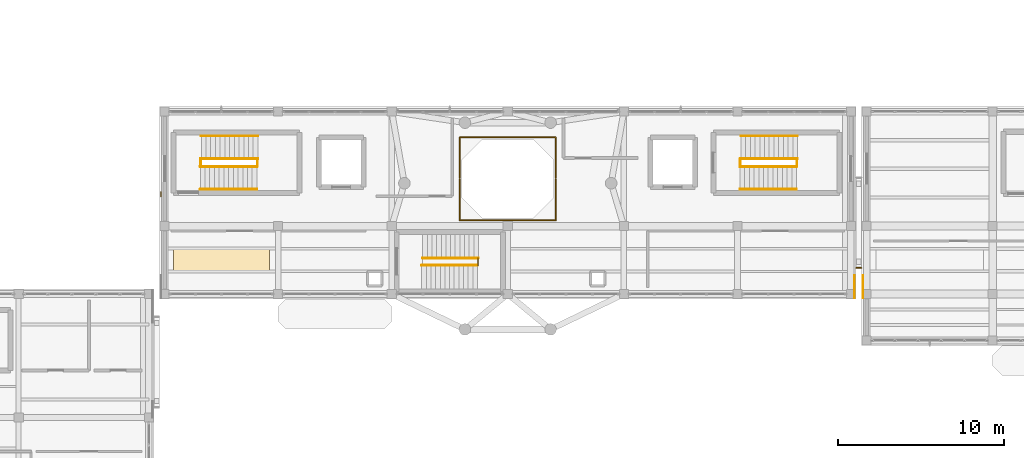
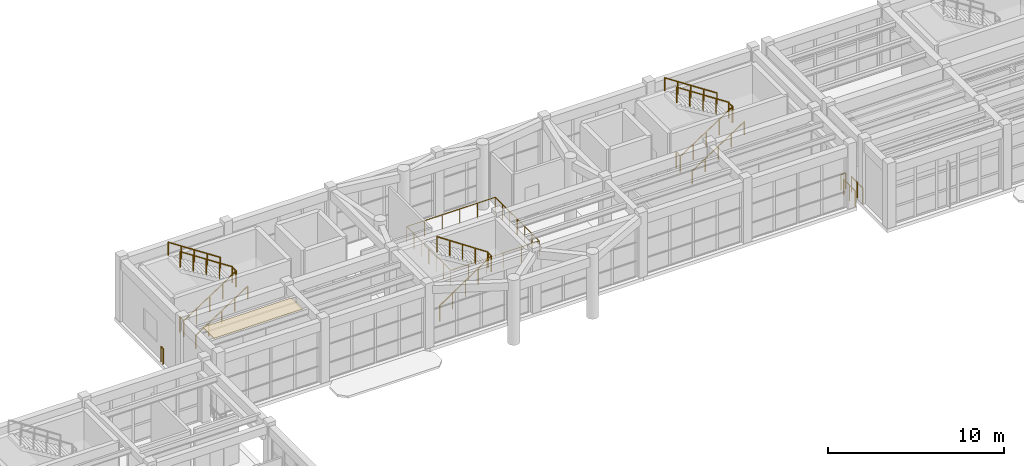
# One storey, part 78 of 85: 21 railings, 1 covering.
"""IFC4 building model written with IfcOpenShell, lengths in metres."""

import ifcopenshell
import ifcopenshell.guid

model = None  # the IFC model being written
_history = None  # IfcOwnerHistory: only IFC2X3 demands one
_inside = {}  # id of a spatial element -> (the spatial element, [elements in it])
_under = {}  # id of a project, library or spatial element -> (it, [spatial elements below it])
_declared = {}  # id of a project -> (the project, [libraries it declares])
_typed = {}  # id of a type object -> (the type object, [elements of that type])
_made_of = {}  # id of a material, layer set ... -> (it, [elements and type objects made of it])


def new_model(schema):
    """Start an empty IFC model of exactly this schema.

    Asked for "IFC4X3", IfcOpenShell would pick the latest addendum, in which some entities
    have other attributes; the version numbers below select the first issue.
    IFC2X3 requires an IfcOwnerHistory on every rooted entity: one is made here for all.
    """
    global model, _history
    if schema == "IFC4X3":
        model = ifcopenshell.file(schema_version=(4, 3, 0, 0))
    else:
        model = ifcopenshell.file(schema=schema)
    _inside.clear()
    _under.clear()
    _declared.clear()
    _typed.clear()
    _made_of.clear()
    _history = None
    if model.schema == "IFC2X3":
        org = make("IfcOrganization", Name="unknown")
        user = make(
            "IfcPersonAndOrganization",
            ThePerson=make("IfcPerson", FamilyName="unknown"),
            TheOrganization=org,
        )
        app = make(
            "IfcApplication",
            ApplicationDeveloper=org,
            Version="unknown",
            ApplicationFullName="unknown",
            ApplicationIdentifier="unknown",
        )
        _history = make(
            "IfcOwnerHistory",
            OwningUser=user,
            OwningApplication=app,
            ChangeAction="ADDED",
            CreationDate=0,
        )
    return model


def make(cls, **values):
    """One entity of the class cls with the attributes given. An attribute that is None is left unset."""
    return model.create_entity(
        cls, **{name: value for name, value in values.items() if value is not None}
    )


def rooted(cls, **values):
    """An entity with a GlobalId (a new one), such as an element, a storey or a relation."""
    return make(cls, GlobalId=ifcopenshell.guid.new(), OwnerHistory=_history, **values)


def si_unit(unit_type, name, prefix=None):
    """IfcSIUnit, for example si_unit("LENGTHUNIT", "METRE", prefix="MILLI")."""
    return make("IfcSIUnit", UnitType=unit_type, Prefix=prefix, Name=name)


def assignment(units):
    """IfcUnitAssignment: the units of a project."""
    return None if units is None else make("IfcUnitAssignment", Units=units)


def point(xyz):
    """IfcCartesianPoint."""
    return None if xyz is None else make("IfcCartesianPoint", Coordinates=xyz)


def direction(xyz):
    """IfcDirection."""
    return None if xyz is None else make("IfcDirection", DirectionRatios=xyz)


def frame(location, z_axis=None, x_axis=None):
    """IfcAxis2Placement3D, a coordinate frame: its origin and axes. An axis left out is left unset."""
    return make(
        "IfcAxis2Placement3D",
        Location=point(location),
        Axis=direction(z_axis),
        RefDirection=direction(x_axis),
    )


def frame_2d(location, x_axis=None):
    """IfcAxis2Placement2D, a coordinate frame in the plane: its origin and x axis."""
    return make(
        "IfcAxis2Placement2D", Location=point(location), RefDirection=direction(x_axis)
    )


def origin():
    """The frame at (0, 0, 0) with its axes left unset."""
    return frame((0.0, 0.0, 0.0))


def origin_2d():
    """The frame at (0, 0) in the plane with its x axis left unset."""
    return frame_2d((0.0, 0.0))


def place(relative_to, where):
    """IfcLocalPlacement: puts the frame where relative to a parent placement (None: the world)."""
    return make(
        "IfcLocalPlacement", PlacementRelTo=relative_to, RelativePlacement=where
    )


def context(
    kind, dimensions, precision=None, world=None, true_north=None, identifier=None
):
    """IfcGeometricRepresentationContext, for example the 3D "Model" context."""
    return make(
        "IfcGeometricRepresentationContext",
        ContextIdentifier=identifier,
        ContextType=kind,
        CoordinateSpaceDimension=dimensions,
        Precision=precision,
        WorldCoordinateSystem=world,
        TrueNorth=true_north,
    )


def subcontext(parent, identifier, kind, view, scale=None):
    """IfcGeometricRepresentationSubContext, for example "Body" below "Model"."""
    return make(
        "IfcGeometricRepresentationSubContext",
        ContextIdentifier=identifier,
        ContextType=kind,
        ParentContext=parent,
        TargetScale=scale,
        TargetView=view,
    )


def project(units=None, contexts=None):
    """IfcProject with its units and contexts."""
    return rooted(
        "IfcProject",
        Name="project",
        RepresentationContexts=contexts,
        UnitsInContext=assignment(units),
    )


def spatial(cls, under=None, at=None, **own):
    """A site, building, storey or space (cls), placed at a placement, below another one or the project."""
    s = rooted(cls, ObjectPlacement=at, **own)
    if under is not None:
        _under.setdefault(under.id(), (under, []))[1].append(s)
    return s


def profile(cls, at=None, kind="AREA", **sizes):
    """A parametric profile (cls). Its sizes go by their IFC names, for example OverallWidth=200.0."""
    return make(cls, ProfileType=kind, Position=at, **sizes)


def rectangle(**sizes):
    """IfcRectangleProfileDef."""
    return profile("IfcRectangleProfileDef", **sizes)


def circle(**sizes):
    """IfcCircleProfileDef."""
    return profile("IfcCircleProfileDef", **sizes)


def extrude(swept, where, along, depth):
    """IfcExtrudedAreaSolid: the profile swept, set in the frame where, extruded along a direction by depth."""
    return make(
        "IfcExtrudedAreaSolid",
        SweptArea=swept,
        Position=where,
        ExtrudedDirection=direction(along),
        Depth=depth,
    )


def shape(context_of_items, identifier, shape_type, items):
    """IfcShapeRepresentation: the items that make up one representation, for example the "Body"."""
    return make(
        "IfcShapeRepresentation",
        ContextOfItems=context_of_items,
        RepresentationIdentifier=identifier,
        RepresentationType=shape_type,
        Items=items,
    )


def material(Name=None, Category=None):
    """IfcMaterial."""
    return make("IfcMaterial", Name=Name, Category=Category)


def layer(
    of_material, thickness, ventilated=None, Name=None, Category=None, Priority=None
):
    """IfcMaterialLayer: one layer of a wall or slab, of a material (None: an air gap)."""
    return make(
        "IfcMaterialLayer",
        Material=of_material,
        LayerThickness=thickness,
        IsVentilated=ventilated,
        Name=Name,
        Category=Category,
        Priority=Priority,
    )


def layer_set(layers, Name=None):
    """IfcMaterialLayerSet."""
    return make("IfcMaterialLayerSet", MaterialLayers=layers, LayerSetName=Name)


def made_of(thing, what):
    """Note that an element or type object is made of a material, layer set ...; save() writes the relation."""
    if what is not None:
        _made_of.setdefault(what.id(), (what, []))[1].append(thing)
    return thing


def type_object(cls, material=None, **own):
    """A type object (cls), such as IfcWallType, which elements share."""
    return made_of(rooted(cls, **own), material)


def element(
    cls,
    number,
    at=None,
    inside=None,
    cuts=None,
    type_object=None,
    material=None,
    context=None,
    identifier="Body",
    shape_type=None,
    held_by="IfcProductDefinitionShape",
    body=None,
    shapes=None,
    **own,
):
    """One element of the class cls, such as IfcWall. Its Tag is "e" and its number.

    at: its placement. inside: the storey or other place that contains it. cuts: it is an
    opening in that element (IfcRelVoidsElement). A single representation is given by context,
    identifier, shape_type and body (its items); several are given by shapes. held_by: the class
    of the entity that holds the representations. save() writes the other relations.
    """
    e = rooted(cls, Tag="e%d" % number, ObjectPlacement=at, **own)
    if body is not None:
        shapes = [shape(context, identifier, shape_type, body)]
    if shapes is not None:
        e.Representation = make(held_by, Representations=shapes)
    if inside is not None:
        _inside.setdefault(inside.id(), (inside, []))[1].append(e)
    if cuts is not None:
        rooted(
            "IfcRelVoidsElement", RelatingBuildingElement=cuts, RelatedOpeningElement=e
        )
    if type_object is not None:
        _typed.setdefault(type_object.id(), (type_object, []))[1].append(e)
    return made_of(e, material)


def aggregate(whole, parts):
    """IfcRelAggregates: a whole, such as a stair, and the parts it consists of."""
    return rooted("IfcRelAggregates", RelatingObject=whole, RelatedObjects=parts)


def save(model, path):
    """Write the relations noted so far, then the file.

    IfcRelAggregates (storeys below a building ...), IfcRelContainedInSpatialStructure (elements
    in a storey), IfcRelDefinesByType, IfcRelAssociatesMaterial and IfcRelDeclares: one each for
    every whole, place, type object, material and project.
    """
    for whole, parts in _under.values():
        aggregate(whole, parts)
    for where, things in _inside.values():
        rooted(
            "IfcRelContainedInSpatialStructure",
            RelatedElements=things,
            RelatingStructure=where,
        )
    for kind, things in _typed.values():
        rooted("IfcRelDefinesByType", RelatedObjects=things, RelatingType=kind)
    for what, things in _made_of.values():
        rooted("IfcRelAssociatesMaterial", RelatedObjects=things, RelatingMaterial=what)
    for by, libraries in _declared.values():
        rooted("IfcRelDeclares", RelatingContext=by, RelatedDefinitions=libraries)
    model.write(path)


model = new_model("IFC4")

# Units and contexts
model_context = context("Model", 3, precision=1e-05, world=origin(), true_north=direction((0.0, 1.0)))
body_context = subcontext(model_context, "Body", "Model", "MODEL_VIEW")
ifc_project = project(units=[si_unit("LENGTHUNIT", "METRE"), si_unit("AREAUNIT", "SQUARE_METRE"), si_unit("VOLUMEUNIT", "CUBIC_METRE"), si_unit("PLANEANGLEUNIT", "RADIAN"), si_unit("MASSUNIT", "GRAM", prefix="KILO")], contexts=[model_context])

# Site, building, storey
site_placement = place(None, origin())
site = spatial("IfcSite", under=ifc_project, at=site_placement, CompositionType="ELEMENT")
building_placement = place(site_placement, origin())
building = spatial("IfcBuilding", under=site, at=building_placement, Name="Candilejo Ridge Gondola Terminal", CompositionType="ELEMENT")
storey_placement = place(building_placement, frame((0.0, 0.0, 4.5)))
storey = spatial("IfcBuildingStorey", under=building, at=storey_placement, Name="L01", CompositionType="ELEMENT", Elevation=4.5)

# Covering
ifc_material_1 = material(Name="Perforated acoustic aluminium linear plank ceiling", Category="aluminium")
ifc_layer = layer(ifc_material_1, 0.044921875)
ifc_layer_set = layer_set([ifc_layer], Name="ARC-COV-CEILING-AC")
covering_type = type_object("IfcCoveringType", Name="ARC-COV-CEILING-AC", PredefinedType="CEILING", material=ifc_layer_set)
covering_placement = place(storey_placement, frame((48.080078125, 27.75, 4.20556640625), z_axis=(0.0, 0.0, 1.0), x_axis=(1.0, 0.0, 0.0)))
element("IfcCovering", 1, at=covering_placement, inside=storey, type_object=covering_type, Name="Acoustic ceiling CL-V2-L01-A", PredefinedType="CEILING", context=body_context, shape_type="SweptSolid", body=[
    extrude(rectangle(XDim=5.800048828125, YDim=1.300048828125, at=origin_2d()), origin(), (0.0, 0.0, 1.0), 0.044921875),
])

# Railings
ifc_material_2 = material(Name="Hot-dip galvanised steel ASTM A500 Grade B", Category="steel")
railing_type_1 = type_object("IfcRailingType", Name="ARC-GUARD-GLASS-1150", PredefinedType="GUARDRAIL", material=ifc_material_2)
railing_1_placement = place(storey_placement, frame((86.3701171875, 27.280029296875, 0.0)))
element("IfcRailing", 2, at=railing_1_placement, inside=storey, type_object=railing_type_1, Name="Link bridge guard LB-SJ2-L01-S", PredefinedType="GUARDRAIL", context=body_context, shape_type="SweptSolid", body=[
    extrude(circle(Radius=0.02392578125, at=origin_2d()), frame((0.0, 0.0, 1.076171875), z_axis=(1.0, 0.0, 0.0), x_axis=(0.0, 1.0, 0.0)), (0.0, 0.0, 1.0), 0.309814453125),
    extrude(circle(Radius=0.02099609375, at=origin_2d()), origin(), (0.0, 0.0, 1.0), 1.052001953125),
    extrude(circle(Radius=0.02099609375, at=origin_2d()), frame((0.309814453125, 0.0, 0.0)), (0.0, 0.0, 1.0), 1.052001953125),
])
railing_2_placement = place(storey_placement, frame((44.429931640625, 31.60009765625, 0.0)))
element("IfcRailing", 3, at=railing_2_placement, inside=storey, type_object=railing_type_1, Name="Deck edge guard GR-V2-L01-W2", PredefinedType="GUARDRAIL", context=body_context, shape_type="SweptSolid", body=[
    extrude(circle(Radius=0.02392578125, at=origin_2d()), frame((0.0, 0.0, 1.076171875), z_axis=(0.0, 1.0, 0.0), x_axis=(-1.0, 0.0, 0.0)), (0.0, 0.0, 1.0), 0.25),
    extrude(circle(Radius=0.02099609375, at=origin_2d()), origin(), (0.0, 0.0, 1.0), 1.052001953125),
    extrude(circle(Radius=0.02099609375, at=origin_2d()), frame((0.0, 0.25, 0.0)), (0.0, 0.0, 1.0), 1.052001953125),
])
for number, where, name in (
    (4, (86.27001953125, 25.47998046875, 0.0), "Deck edge guard GR-V2-L01-E1"),
    (5, (86.780029296875, 25.47998046875, 0.0), "Deck edge guard GR-V3-L01-W1"),
):
    element("IfcRailing", number, at=place(storey_placement, frame(where)), inside=storey, type_object=railing_type_1, Name=name, PredefinedType="GUARDRAIL", context=body_context, shape_type="SweptSolid", body=[
        extrude(circle(Radius=0.02392578125, at=origin_2d()), frame((0.0, 0.0, 1.076171875), z_axis=(0.0, 1.0, 0.0), x_axis=(-1.0, 0.0, 0.0)), (0.0, 0.0, 1.0), 1.320068359375),
        extrude(circle(Radius=0.02099609375, at=origin_2d()), origin(), (0.0, 0.0, 1.0), 1.052001953125),
        extrude(circle(Radius=0.02099609375, at=origin_2d()), frame((0.0, 0.66015625, 0.0)), (0.0, 0.0, 1.0), 1.052001953125),
        extrude(circle(Radius=0.02099609375, at=origin_2d()), frame((0.0, 1.320068359375, 0.0)), (0.0, 0.0, 1.0), 1.052001953125),
    ])
railing_3_placement = place(storey_placement, frame((62.449951171875, 32.610107421875, 0.0)))
element("IfcRailing", 6, at=railing_3_placement, inside=storey, type_object=railing_type_1, Name="Well balustrade GR-V2-OCT-L01-S", PredefinedType="GUARDRAIL", context=body_context, shape_type="SweptSolid", body=[
    extrude(circle(Radius=0.02392578125, at=origin_2d()), frame((0.0, 0.0, 1.076171875), z_axis=(0.0, -1.0, 0.0), x_axis=(1.0, 0.0, 0.0)), (0.0, 0.0, 1.0), 2.460205078125),
    extrude(circle(Radius=0.02392578125, at=origin_2d()), frame((0.0, -2.460205078125, 1.076171875), z_axis=(1.0, 0.0, 0.0), x_axis=(0.0, 1.0, 0.0)), (0.0, 0.0, 1.0), 5.800048828125),
    extrude(circle(Radius=0.02392578125, at=origin_2d()), frame((5.800048828125, -2.460205078125, 1.076171875), z_axis=(0.0, 1.0, 0.0), x_axis=(-1.0, 0.0, 0.0)), (0.0, 0.0, 1.0), 2.460205078125),
    extrude(circle(Radius=0.02099609375, at=origin_2d()), origin(), (0.0, 0.0, 1.0), 1.052001953125),
    extrude(circle(Radius=0.02099609375, at=origin_2d()), frame((0.0, -0.820068359375, 0.0)), (0.0, 0.0, 1.0), 1.052001953125),
    extrude(circle(Radius=0.02099609375, at=origin_2d()), frame((0.0, -1.64013671875, 0.0)), (0.0, 0.0, 1.0), 1.052001953125),
    extrude(circle(Radius=0.02099609375, at=origin_2d()), frame((0.0, -2.460205078125, 0.0)), (0.0, 0.0, 1.0), 1.052001953125),
    extrude(circle(Radius=0.02099609375, at=origin_2d()), frame((1.159912109375, -2.460205078125, 0.0)), (0.0, 0.0, 1.0), 1.052001953125),
    extrude(circle(Radius=0.02099609375, at=origin_2d()), frame((2.320068359375, -2.460205078125, 0.0)), (0.0, 0.0, 1.0), 1.052001953125),
    extrude(circle(Radius=0.02099609375, at=origin_2d()), frame((3.47998046875, -2.460205078125, 0.0)), (0.0, 0.0, 1.0), 1.052001953125),
    extrude(circle(Radius=0.02099609375, at=origin_2d()), frame((4.64013671875, -2.460205078125, 0.0)), (0.0, 0.0, 1.0), 1.052001953125),
    extrude(circle(Radius=0.02099609375, at=origin_2d()), frame((5.800048828125, -2.460205078125, 0.0)), (0.0, 0.0, 1.0), 1.052001953125),
    extrude(circle(Radius=0.02099609375, at=origin_2d()), frame((5.800048828125, -1.64013671875, 0.0)), (0.0, 0.0, 1.0), 1.052001953125),
    extrude(circle(Radius=0.02099609375, at=origin_2d()), frame((5.800048828125, -0.820068359375, 0.0)), (0.0, 0.0, 1.0), 1.052001953125),
    extrude(circle(Radius=0.02099609375, at=origin_2d()), frame((5.800048828125, 0.0, 0.0)), (0.0, 0.0, 1.0), 1.052001953125),
])
railing_4_placement = place(storey_placement, frame((62.449951171875, 32.68994140625, 0.0)))
element("IfcRailing", 7, at=railing_4_placement, inside=storey, type_object=railing_type_1, Name="Well balustrade GR-V2-OCT-L01-N", PredefinedType="GUARDRAIL", context=body_context, shape_type="SweptSolid", body=[
    extrude(circle(Radius=0.02392578125, at=origin_2d()), frame((0.0, 0.0, 1.076171875), z_axis=(0.0, 1.0, 0.0), x_axis=(-1.0, 0.0, 0.0)), (0.0, 0.0, 1.0), 2.4599609375),
    extrude(circle(Radius=0.02392578125, at=origin_2d()), frame((0.0, 2.4599609375, 1.076171875), z_axis=(1.0, 0.0, 0.0), x_axis=(0.0, 1.0, 0.0)), (0.0, 0.0, 1.0), 5.800048828125),
    extrude(circle(Radius=0.02392578125, at=origin_2d()), frame((5.800048828125, 2.4599609375, 1.076171875), z_axis=(0.0, -1.0, 0.0), x_axis=(1.0, 0.0, 0.0)), (0.0, 0.0, 1.0), 2.4599609375),
    extrude(circle(Radius=0.02099609375, at=origin_2d()), origin(), (0.0, 0.0, 1.0), 1.052001953125),
    extrude(circle(Radius=0.02099609375, at=origin_2d()), frame((0.0, 0.820068359375, 0.0)), (0.0, 0.0, 1.0), 1.052001953125),
    extrude(circle(Radius=0.02099609375, at=origin_2d()), frame((0.0, 1.639892578125, 0.0)), (0.0, 0.0, 1.0), 1.052001953125),
    extrude(circle(Radius=0.02099609375, at=origin_2d()), frame((0.0, 2.4599609375, 0.0)), (0.0, 0.0, 1.0), 1.052001953125),
    extrude(circle(Radius=0.02099609375, at=origin_2d()), frame((1.159912109375, 2.4599609375, 0.0)), (0.0, 0.0, 1.0), 1.052001953125),
    extrude(circle(Radius=0.02099609375, at=origin_2d()), frame((2.320068359375, 2.4599609375, 0.0)), (0.0, 0.0, 1.0), 1.052001953125),
    extrude(circle(Radius=0.02099609375, at=origin_2d()), frame((3.47998046875, 2.4599609375, 0.0)), (0.0, 0.0, 1.0), 1.052001953125),
    extrude(circle(Radius=0.02099609375, at=origin_2d()), frame((4.64013671875, 2.4599609375, 0.0)), (0.0, 0.0, 1.0), 1.052001953125),
    extrude(circle(Radius=0.02099609375, at=origin_2d()), frame((5.800048828125, 2.4599609375, 0.0)), (0.0, 0.0, 1.0), 1.052001953125),
    extrude(circle(Radius=0.02099609375, at=origin_2d()), frame((5.800048828125, 1.639892578125, 0.0)), (0.0, 0.0, 1.0), 1.052001953125),
    extrude(circle(Radius=0.02099609375, at=origin_2d()), frame((5.800048828125, 0.820068359375, 0.0)), (0.0, 0.0, 1.0), 1.052001953125),
    extrude(circle(Radius=0.02099609375, at=origin_2d()), frame((5.800048828125, 0.0, 0.0)), (0.0, 0.0, 1.0), 1.052001953125),
])
ifc_material_3 = material(Name="Hot-dip galvanised steel ASTM A500 Grade B", Category="steel")
railing_type_2 = type_object("IfcRailingType", Name="ARC-STAIR-GUARD-1100", PredefinedType="GUARDRAIL", material=ifc_material_3)
railing_5_placement = place(storey_placement, frame((46.830078125, 33.385009765625, 0.0)))
element("IfcRailing", 8, at=railing_5_placement, inside=storey, type_object=railing_type_2, Name="Arrival well guard ST-V2A-L00-ARR-L01", PredefinedType="GUARDRAIL", context=body_context, shape_type="SweptSolid", body=[
    extrude(circle(Radius=0.02392578125, at=origin_2d()), frame((0.0, 0.0, 1.076171875), z_axis=(0.0, 1.0, 0.0), x_axis=(-1.0, 0.0, 0.0)), (0.0, 0.0, 1.0), 0.47998046875),
    extrude(circle(Radius=0.02099609375, at=origin_2d()), origin(), (0.0, 0.0, 1.0), 1.052001953125),
    extrude(circle(Radius=0.02099609375, at=origin_2d()), frame((0.0, 0.47998046875, 0.0)), (0.0, 0.0, 1.0), 1.052001953125),
])
railing_6_placement = place(storey_placement, frame((46.800048828125, 33.385009765625, 0.0)))
element("IfcRailing", 9, at=railing_6_placement, inside=storey, type_object=railing_type_2, Name="Flight well guard ST-V2A-F03", PredefinedType="GUARDRAIL", context=body_context, shape_type="SweptSolid", body=[
    extrude(circle(Radius=0.02392578125, at=origin_2d()), frame((0.0, 0.0, 1.076171875), z_axis=(0.835411317272, 0.0, 0.549625264133), x_axis=(0.0, 1.0, 0.0)), (0.0, 0.0, 1.0), 4.09375),
    extrude(circle(Radius=0.02099609375, at=origin_2d()), origin(), (0.0, 0.0, 1.0), 1.052001953125),
    extrude(circle(Radius=0.02099609375, at=origin_2d()), frame((0.85498046875, 0.0, 0.5625)), (0.0, 0.0, 1.0), 1.052001953125),
    extrude(circle(Radius=0.02099609375, at=origin_2d()), frame((1.7099609375, 0.0, 1.125)), (0.0, 0.0, 1.0), 1.052001953125),
    extrude(circle(Radius=0.02099609375, at=origin_2d()), frame((2.56494140625, 0.0, 1.6875)), (0.0, 0.0, 1.0), 1.052001953125),
    extrude(circle(Radius=0.02099609375, at=origin_2d()), frame((3.419921875, 0.0, 2.25)), (0.0, 0.0, 1.0), 1.052001953125),
])
railing_7_placement = place(storey_placement, frame((50.25, 33.385009765625, 2.25)))
element("IfcRailing", 10, at=railing_7_placement, inside=storey, type_object=railing_type_2, Name="Half-landing slot guard ST-V2A-LND-02", PredefinedType="GUARDRAIL", context=body_context, shape_type="SweptSolid", body=[
    extrude(circle(Radius=0.02392578125, at=origin_2d()), frame((0.0, 0.0, 1.076171875), z_axis=(0.0, 1.0, 0.0), x_axis=(-1.0, 0.0, 0.0)), (0.0, 0.0, 1.0), 0.47998046875),
    extrude(circle(Radius=0.02099609375, at=origin_2d()), origin(), (0.0, 0.0, 1.0), 1.052001953125),
    extrude(circle(Radius=0.02099609375, at=origin_2d()), frame((0.0, 0.47998046875, 0.0)), (0.0, 0.0, 1.0), 1.052001953125),
])
railing_8_placement = place(storey_placement, frame((50.280029296875, 33.864990234375, 2.25)))
element("IfcRailing", 11, at=railing_8_placement, inside=storey, type_object=railing_type_2, Name="Flight well guard ST-V2A-F04", PredefinedType="GUARDRAIL", context=body_context, shape_type="SweptSolid", body=[
    extrude(circle(Radius=0.02392578125, at=origin_2d()), frame((0.0, 0.0, 1.076171875), z_axis=(-0.835411317272, 0.0, 0.549625264133), x_axis=(0.0, -1.0, 0.0)), (0.0, 0.0, 1.0), 4.09375),
    extrude(circle(Radius=0.02099609375, at=origin_2d()), origin(), (0.0, 0.0, 1.0), 1.052001953125),
    extrude(circle(Radius=0.02099609375, at=origin_2d()), frame((-0.85498046875, 0.0, 0.5625)), (0.0, 0.0, 1.0), 1.052001953125),
    extrude(circle(Radius=0.02099609375, at=origin_2d()), frame((-1.7099609375, 0.0, 1.125)), (0.0, 0.0, 1.0), 1.052001953125),
    extrude(circle(Radius=0.02099609375, at=origin_2d()), frame((-2.56494140625, 0.0, 1.6875)), (0.0, 0.0, 1.0), 1.052001953125),
    extrude(circle(Radius=0.02099609375, at=origin_2d()), frame((-3.419921875, 0.0, 2.25)), (0.0, 0.0, 1.0), 1.052001953125),
])
railing_9_placement = place(storey_placement, frame((79.3798828125, 33.385009765625, 0.0)))
element("IfcRailing", 12, at=railing_9_placement, inside=storey, type_object=railing_type_2, Name="Arrival well guard ST-V2B-L00-ARR-L01", PredefinedType="GUARDRAIL", context=body_context, shape_type="SweptSolid", body=[
    extrude(circle(Radius=0.02392578125, at=origin_2d()), frame((0.0, 0.0, 1.076171875), z_axis=(0.0, 1.0, 0.0), x_axis=(-1.0, 0.0, 0.0)), (0.0, 0.0, 1.0), 0.47998046875),
    extrude(circle(Radius=0.02099609375, at=origin_2d()), origin(), (0.0, 0.0, 1.0), 1.052001953125),
    extrude(circle(Radius=0.02099609375, at=origin_2d()), frame((0.0, 0.47998046875, 0.0)), (0.0, 0.0, 1.0), 1.052001953125),
])
railing_10_placement = place(storey_placement, frame((79.35009765625, 33.385009765625, 0.0)))
element("IfcRailing", 13, at=railing_10_placement, inside=storey, type_object=railing_type_2, Name="Flight well guard ST-V2B-F03", PredefinedType="GUARDRAIL", context=body_context, shape_type="SweptSolid", body=[
    extrude(circle(Radius=0.02392578125, at=origin_2d()), frame((0.0, 0.0, 1.076171875), z_axis=(0.835411317272, 0.0, 0.549625264133), x_axis=(0.0, 1.0, 0.0)), (0.0, 0.0, 1.0), 4.09375),
    extrude(circle(Radius=0.02099609375, at=origin_2d()), origin(), (0.0, 0.0, 1.0), 1.052001953125),
    extrude(circle(Radius=0.02099609375, at=origin_2d()), frame((0.85498046875, 0.0, 0.5625)), (0.0, 0.0, 1.0), 1.052001953125),
    extrude(circle(Radius=0.02099609375, at=origin_2d()), frame((1.7099609375, 0.0, 1.125)), (0.0, 0.0, 1.0), 1.052001953125),
    extrude(circle(Radius=0.02099609375, at=origin_2d()), frame((2.56494140625, 0.0, 1.6875)), (0.0, 0.0, 1.0), 1.052001953125),
    extrude(circle(Radius=0.02099609375, at=origin_2d()), frame((3.419921875, 0.0, 2.25)), (0.0, 0.0, 1.0), 1.052001953125),
])
railing_11_placement = place(storey_placement, frame((82.800048828125, 33.385009765625, 2.25)))
element("IfcRailing", 14, at=railing_11_placement, inside=storey, type_object=railing_type_2, Name="Half-landing slot guard ST-V2B-LND-02", PredefinedType="GUARDRAIL", context=body_context, shape_type="SweptSolid", body=[
    extrude(circle(Radius=0.02392578125, at=origin_2d()), frame((0.0, 0.0, 1.076171875), z_axis=(0.0, 1.0, 0.0), x_axis=(-1.0, 0.0, 0.0)), (0.0, 0.0, 1.0), 0.47998046875),
    extrude(circle(Radius=0.02099609375, at=origin_2d()), origin(), (0.0, 0.0, 1.0), 1.052001953125),
    extrude(circle(Radius=0.02099609375, at=origin_2d()), frame((0.0, 0.47998046875, 0.0)), (0.0, 0.0, 1.0), 1.052001953125),
])
railing_12_placement = place(storey_placement, frame((82.830078125, 33.864990234375, 2.25)))
element("IfcRailing", 15, at=railing_12_placement, inside=storey, type_object=railing_type_2, Name="Flight well guard ST-V2B-F04", PredefinedType="GUARDRAIL", context=body_context, shape_type="SweptSolid", body=[
    extrude(circle(Radius=0.02392578125, at=origin_2d()), frame((0.0, 0.0, 1.076171875), z_axis=(-0.835429331894, 0.0, 0.549597881557), x_axis=(0.0, -1.0, 0.0)), (0.0, 0.0, 1.0), 4.093994140625),
    extrude(circle(Radius=0.02099609375, at=origin_2d()), origin(), (0.0, 0.0, 1.0), 1.052001953125),
    extrude(circle(Radius=0.02099609375, at=origin_2d()), frame((-0.85498046875, 0.0, 0.5625)), (0.0, 0.0, 1.0), 1.052001953125),
    extrude(circle(Radius=0.02099609375, at=origin_2d()), frame((-1.7099609375, 0.0, 1.125)), (0.0, 0.0, 1.0), 1.052001953125),
    extrude(circle(Radius=0.02099609375, at=origin_2d()), frame((-2.565185546875, 0.0, 1.6875)), (0.0, 0.0, 1.0), 1.052001953125),
    extrude(circle(Radius=0.02099609375, at=origin_2d()), frame((-3.420166015625, 0.0, 2.25)), (0.0, 0.0, 1.0), 1.052001953125),
])
railing_13_placement = place(storey_placement, frame((60.159912109375, 27.43505859375, 0.0)))
element("IfcRailing", 16, at=railing_13_placement, inside=storey, type_object=railing_type_2, Name="Public stair well guard ST-P02-F01", PredefinedType="GUARDRAIL", context=body_context, shape_type="SweptSolid", body=[
    extrude(circle(Radius=0.02392578125, at=origin_2d()), frame((0.0, 0.0, 1.076171875), z_axis=(0.830915400975, 0.0, 0.556398774641), x_axis=(0.0, 1.0, 0.0)), (0.0, 0.0, 1.0), 4.0439453125),
    extrude(circle(Radius=0.02099609375, at=origin_2d()), origin(), (0.0, 0.0, 1.0), 1.052001953125),
    extrude(circle(Radius=0.02099609375, at=origin_2d()), frame((0.840087890625, 0.0, 0.5625)), (0.0, 0.0, 1.0), 1.052001953125),
    extrude(circle(Radius=0.02099609375, at=origin_2d()), frame((1.68017578125, 0.0, 1.125)), (0.0, 0.0, 1.0), 1.052001953125),
    extrude(circle(Radius=0.02099609375, at=origin_2d()), frame((2.52001953125, 0.0, 1.6875)), (0.0, 0.0, 1.0), 1.052001953125),
    extrude(circle(Radius=0.02099609375, at=origin_2d()), frame((3.360107421875, 0.0, 2.25)), (0.0, 0.0, 1.0), 1.052001953125),
])
railing_14_placement = place(storey_placement, frame((63.550048828125, 27.43505859375, 2.25)))
element("IfcRailing", 17, at=railing_14_placement, inside=storey, type_object=railing_type_2, Name="Public landing slot guard ST-P02-LND-01", PredefinedType="GUARDRAIL", context=body_context, shape_type="SweptSolid", body=[
    extrude(circle(Radius=0.02392578125, at=origin_2d()), frame((0.0, 0.0, 1.076171875), z_axis=(0.0, 1.0, 0.0), x_axis=(-1.0, 0.0, 0.0)), (0.0, 0.0, 1.0), 0.429931640625),
    extrude(circle(Radius=0.02099609375, at=origin_2d()), origin(), (0.0, 0.0, 1.0), 1.052001953125),
    extrude(circle(Radius=0.02099609375, at=origin_2d()), frame((0.0, 0.429931640625, 0.0)), (0.0, 0.0, 1.0), 1.052001953125),
])
railing_15_placement = place(storey_placement, frame((63.580078125, 27.864990234375, 2.25)))
element("IfcRailing", 18, at=railing_15_placement, inside=storey, type_object=railing_type_2, Name="Public stair well guard ST-P02-F02", PredefinedType="GUARDRAIL", context=body_context, shape_type="SweptSolid", body=[
    extrude(circle(Radius=0.02392578125, at=origin_2d()), frame((0.0, 0.0, 1.076171875), z_axis=(-0.830915400975, 0.0, 0.556398774641), x_axis=(0.0, -1.0, 0.0)), (0.0, 0.0, 1.0), 4.0439453125),
    extrude(circle(Radius=0.02099609375, at=origin_2d()), origin(), (0.0, 0.0, 1.0), 1.052001953125),
    extrude(circle(Radius=0.02099609375, at=origin_2d()), frame((-0.840087890625, 0.0, 0.5625)), (0.0, 0.0, 1.0), 1.052001953125),
    extrude(circle(Radius=0.02099609375, at=origin_2d()), frame((-1.68017578125, 0.0, 1.125)), (0.0, 0.0, 1.0), 1.052001953125),
    extrude(circle(Radius=0.02099609375, at=origin_2d()), frame((-2.52001953125, 0.0, 1.6875)), (0.0, 0.0, 1.0), 1.052001953125),
    extrude(circle(Radius=0.02099609375, at=origin_2d()), frame((-3.360107421875, 0.0, 2.25)), (0.0, 0.0, 1.0), 1.052001953125),
])
ifc_material_4 = material(Name="Brushed stainless steel AISI 316", Category="steel")
railing_type_3 = type_object("IfcRailingType", Name="ARC-STAIR-HANDRAIL-920", PredefinedType="HANDRAIL", material=ifc_material_4)
railing_16_placement = place(storey_placement, frame((46.800048828125, 32.014892578125, 0.0)))
element("IfcRailing", 19, at=railing_16_placement, inside=storey, type_object=railing_type_3, Name="Wall handrail ST-V2A-F03", PredefinedType="HANDRAIL", context=body_context, shape_type="SweptSolid", body=[
    extrude(circle(Radius=0.02392578125, at=origin_2d()), frame((0.0, 0.0, 0.89599609375), z_axis=(0.835411317272, 0.0, 0.549625264133), x_axis=(0.0, 1.0, 0.0)), (0.0, 0.0, 1.0), 4.09375),
    extrude(circle(Radius=0.02099609375, at=origin_2d()), origin(), (0.0, 0.0, 1.0), 0.871826171875),
    extrude(circle(Radius=0.02099609375, at=origin_2d()), frame((0.85498046875, 0.0, 0.5625)), (0.0, 0.0, 1.0), 0.871826171875),
    extrude(circle(Radius=0.02099609375, at=origin_2d()), frame((1.7099609375, 0.0, 1.125)), (0.0, 0.0, 1.0), 0.871826171875),
    extrude(circle(Radius=0.02099609375, at=origin_2d()), frame((2.56494140625, 0.0, 1.6875)), (0.0, 0.0, 1.0), 0.871826171875),
    extrude(circle(Radius=0.02099609375, at=origin_2d()), frame((3.419921875, 0.0, 2.25)), (0.0, 0.0, 1.0), 0.871826171875),
])
railing_17_placement = place(storey_placement, frame((50.280029296875, 35.235107421875, 2.25)))
element("IfcRailing", 20, at=railing_17_placement, inside=storey, type_object=railing_type_3, Name="Wall handrail ST-V2A-F04", PredefinedType="HANDRAIL", context=body_context, shape_type="SweptSolid", body=[
    extrude(circle(Radius=0.02392578125, at=origin_2d()), frame((0.0, 0.0, 0.89599609375), z_axis=(-0.835411317272, 0.0, 0.549625264133), x_axis=(0.0, -1.0, 0.0)), (0.0, 0.0, 1.0), 4.09375),
    extrude(circle(Radius=0.02099609375, at=origin_2d()), origin(), (0.0, 0.0, 1.0), 0.871826171875),
    extrude(circle(Radius=0.02099609375, at=origin_2d()), frame((-0.85498046875, 0.0, 0.5625)), (0.0, 0.0, 1.0), 0.871826171875),
    extrude(circle(Radius=0.02099609375, at=origin_2d()), frame((-1.7099609375, 0.0, 1.125)), (0.0, 0.0, 1.0), 0.871826171875),
    extrude(circle(Radius=0.02099609375, at=origin_2d()), frame((-2.56494140625, 0.0, 1.6875)), (0.0, 0.0, 1.0), 0.871826171875),
    extrude(circle(Radius=0.02099609375, at=origin_2d()), frame((-3.419921875, 0.0, 2.25)), (0.0, 0.0, 1.0), 0.871826171875),
])
railing_18_placement = place(storey_placement, frame((79.35009765625, 32.014892578125, 0.0)))
element("IfcRailing", 21, at=railing_18_placement, inside=storey, type_object=railing_type_3, Name="Wall handrail ST-V2B-F03", PredefinedType="HANDRAIL", context=body_context, shape_type="SweptSolid", body=[
    extrude(circle(Radius=0.02392578125, at=origin_2d()), frame((0.0, 0.0, 0.89599609375), z_axis=(0.835411317272, 0.0, 0.549625264133), x_axis=(0.0, 1.0, 0.0)), (0.0, 0.0, 1.0), 4.09375),
    extrude(circle(Radius=0.02099609375, at=origin_2d()), origin(), (0.0, 0.0, 1.0), 0.871826171875),
    extrude(circle(Radius=0.02099609375, at=origin_2d()), frame((0.85498046875, 0.0, 0.5625)), (0.0, 0.0, 1.0), 0.871826171875),
    extrude(circle(Radius=0.02099609375, at=origin_2d()), frame((1.7099609375, 0.0, 1.125)), (0.0, 0.0, 1.0), 0.871826171875),
    extrude(circle(Radius=0.02099609375, at=origin_2d()), frame((2.56494140625, 0.0, 1.6875)), (0.0, 0.0, 1.0), 0.871826171875),
    extrude(circle(Radius=0.02099609375, at=origin_2d()), frame((3.419921875, 0.0, 2.25)), (0.0, 0.0, 1.0), 0.871826171875),
])
railing_19_placement = place(storey_placement, frame((82.830078125, 35.235107421875, 2.25)))
element("IfcRailing", 22, at=railing_19_placement, inside=storey, type_object=railing_type_3, Name="Wall handrail ST-V2B-F04", PredefinedType="HANDRAIL", context=body_context, shape_type="SweptSolid", body=[
    extrude(circle(Radius=0.02392578125, at=origin_2d()), frame((0.0, 0.0, 0.89599609375), z_axis=(-0.835429331894, 0.0, 0.549597881557), x_axis=(0.0, -1.0, 0.0)), (0.0, 0.0, 1.0), 4.093994140625),
    extrude(circle(Radius=0.02099609375, at=origin_2d()), origin(), (0.0, 0.0, 1.0), 0.871826171875),
    extrude(circle(Radius=0.02099609375, at=origin_2d()), frame((-0.85498046875, 0.0, 0.5625)), (0.0, 0.0, 1.0), 0.871826171875),
    extrude(circle(Radius=0.02099609375, at=origin_2d()), frame((-1.7099609375, 0.0, 1.125)), (0.0, 0.0, 1.0), 0.871826171875),
    extrude(circle(Radius=0.02099609375, at=origin_2d()), frame((-2.565185546875, 0.0, 1.6875)), (0.0, 0.0, 1.0), 0.871826171875),
    extrude(circle(Radius=0.02099609375, at=origin_2d()), frame((-3.420166015625, 0.0, 2.25)), (0.0, 0.0, 1.0), 0.871826171875),
])

save(model, "model.ifc")
